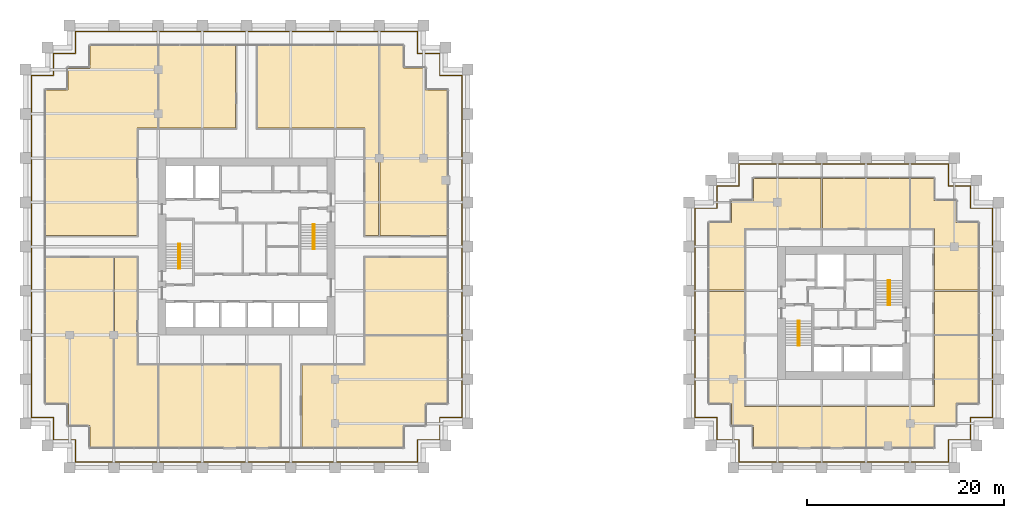
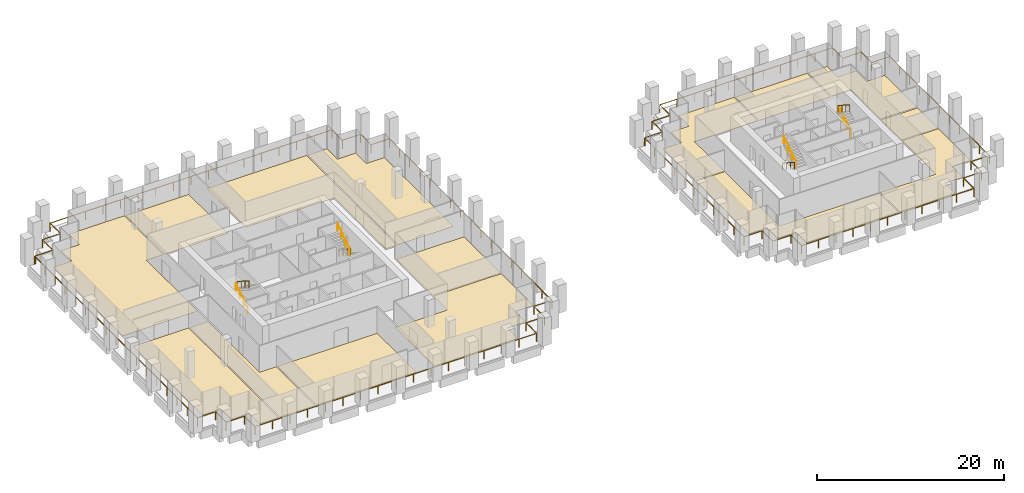
# One storey, part 54 of 54: 15 coverings, 10 railings.
"""IFC4 building model written with IfcOpenShell, lengths in metres."""

from ifc_helpers import new_model, si_unit, direction, frame, origin, origin_2d, place, context, subcontext, project, spatial, polyline, circle, outline, extrude, source, transform, mapped, material, layer, layer_set, type_object, element, save


model = new_model("IFC4")

# Units and contexts
model_context = context("Model", 3, precision=1e-05, world=origin(), true_north=direction((0.0, 1.0)))
body_context = subcontext(model_context, "Body", "Model", "MODEL_VIEW")
ifc_project = project(units=[si_unit("LENGTHUNIT", "METRE"), si_unit("AREAUNIT", "SQUARE_METRE"), si_unit("VOLUMEUNIT", "CUBIC_METRE"), si_unit("PLANEANGLEUNIT", "RADIAN"), si_unit("MASSUNIT", "GRAM", prefix="KILO")], contexts=[model_context])

# Site, building, storey
site_placement = place(None, origin())
site = spatial("IfcSite", under=ifc_project, at=site_placement, CompositionType="ELEMENT")
building_placement = place(site_placement, origin())
building = spatial("IfcBuilding", under=site, at=building_placement, Name="Altepetl Exchange Towers", CompositionType="ELEMENT")
storey_placement = place(building_placement, frame((0.0, 0.0, 65.39990234375)))
storey = spatial("IfcBuildingStorey", under=building, at=storey_placement, Name="L15", CompositionType="ELEMENT", Elevation=65.39990234375)

# Coverings
ifc_material_1 = material(Name="Carpet tile")
ifc_layer_1 = layer(ifc_material_1, 0.02001953125)
ifc_layer_set_1 = layer_set([ifc_layer_1], Name="Carpet tile")
covering_type_1 = type_object("IfcCoveringType", Name="Carpet tile floor", PredefinedType="FLOORING", material=ifc_layer_set_1)
covering_1_placement = place(storey_placement, origin())
element("IfcCovering", 1, at=covering_1_placement, inside=storey, type_object=covering_type_1, Name="Fund office floor finish A15.01", PredefinedType="FLOORING", context=body_context, shape_type="SweptSolid", body=[
    extrude(outline(polyline([(31.3125, 31.3125), (33.5625, 31.3125), (33.5625, 29.0625), (35.9375, 29.0625), (35.9375, 48.387451171875), (29.0625, 48.387451171875), (29.0625, 33.5625), (31.3125, 33.5625), (31.3125, 31.3125)])), origin(), (0.0, 0.0, 1.0), 0.02001953125),
])
covering_2_placement = place(storey_placement, origin())
element("IfcCovering", 2, at=covering_2_placement, inside=storey, type_object=covering_type_1, Name="Pantry floor finish A15.02", PredefinedType="FLOORING", context=body_context, shape_type="SweptSolid", body=[
    extrude(outline(polyline([(36.0625, 48.387451171875), (36.0625, 29.0625), (40.4375, 29.0625), (40.4375, 37.4375), (38.33740234375, 37.4375), (38.33740234375, 48.387451171875), (36.0625, 48.387451171875)])), origin(), (0.0, 0.0, 1.0), 0.02001953125),
])
covering_3_placement = place(storey_placement, origin())
element("IfcCovering", 3, at=covering_3_placement, inside=storey, type_object=covering_type_1, Name="Conference room floor finish A15.03", PredefinedType="FLOORING", context=body_context, shape_type="SweptSolid", body=[
    extrude(outline(polyline([(40.5625, 37.4375), (40.5625, 29.0625), (52.887451171875, 29.0625), (52.887451171875, 37.4375), (40.5625, 37.4375)])), origin(), (0.0, 0.0, 1.0), 0.02001953125),
])
covering_4_placement = place(storey_placement, origin())
element("IfcCovering", 4, at=covering_4_placement, inside=storey, type_object=covering_type_1, Name="Research office floor finish A15.04", PredefinedType="FLOORING", context=body_context, shape_type="SweptSolid", body=[
    extrude(outline(polyline([(67.6875, 31.3125), (67.6875, 33.5625), (69.9375, 33.5625), (69.9375, 40.4375), (61.5625, 40.4375), (61.5625, 37.4375), (55.112548828125, 37.4375), (55.112548828125, 29.0625), (65.4375, 29.0625), (65.4375, 31.3125), (67.6875, 31.3125)])), origin(), (0.0, 0.0, 1.0), 0.02001953125),
])
covering_5_placement = place(storey_placement, origin())
element("IfcCovering", 5, at=covering_5_placement, inside=storey, type_object=covering_type_1, Name="Pantry floor finish A15.05", PredefinedType="FLOORING", context=body_context, shape_type="SweptSolid", body=[
    extrude(outline(polyline([(61.5625, 40.5625), (69.9375, 40.5625), (69.9375, 48.387451171875), (61.5625, 48.387451171875), (61.5625, 40.5625)])), origin(), (0.0, 0.0, 1.0), 0.02001953125),
])
covering_6_placement = place(storey_placement, origin())
element("IfcCovering", 6, at=covering_6_placement, inside=storey, type_object=covering_type_1, Name="Research office floor finish A15.06", PredefinedType="FLOORING", context=body_context, shape_type="SweptSolid", body=[
    extrude(outline(polyline([(67.6875, 67.6875), (65.4375, 67.6875), (65.4375, 69.9375), (63.0625, 69.9375), (63.0625, 50.612548828125), (69.9375, 50.612548828125), (69.9375, 65.4375), (67.6875, 65.4375), (67.6875, 67.6875)])), origin(), (0.0, 0.0, 1.0), 0.02001953125),
])
covering_7_placement = place(storey_placement, origin())
element("IfcCovering", 7, at=covering_7_placement, inside=storey, type_object=covering_type_1, Name="Fund office floor finish A15.07", PredefinedType="FLOORING", context=body_context, shape_type="SweptSolid", body=[
    extrude(outline(polyline([(62.9375, 50.612548828125), (62.9375, 69.9375), (50.612548828125, 69.9375), (50.612548828125, 61.5625), (61.5625, 61.5625), (61.5625, 50.612548828125), (62.9375, 50.612548828125)])), origin(), (0.0, 0.0, 1.0), 0.02001953125),
])
covering_8_placement = place(storey_placement, origin())
element("IfcCovering", 8, at=covering_8_placement, inside=storey, type_object=covering_type_1, Name="Print room floor finish A15.08", PredefinedType="FLOORING", context=body_context, shape_type="SweptSolid", body=[
    extrude(outline(polyline([(48.387451171875, 69.9375), (40.5625, 69.9375), (40.5625, 61.5625), (48.387451171875, 61.5625), (48.387451171875, 69.9375)])), origin(), (0.0, 0.0, 1.0), 0.02001953125),
])
covering_9_placement = place(storey_placement, origin())
element("IfcCovering", 9, at=covering_9_placement, inside=storey, type_object=covering_type_1, Name="Fund office floor finish A15.09", PredefinedType="FLOORING", context=body_context, shape_type="SweptSolid", body=[
    extrude(outline(polyline([(40.4375, 61.5625), (40.4375, 69.9375), (33.5625, 69.9375), (33.5625, 67.6875), (31.3125, 67.6875), (31.3125, 65.4375), (29.0625, 65.4375), (29.0625, 50.612548828125), (38.33740234375, 50.612548828125), (38.33740234375, 61.5625), (40.4375, 61.5625)])), origin(), (0.0, 0.0, 1.0), 0.02001953125),
])
covering_10_placement = place(storey_placement, origin())
element("IfcCovering", 10, at=covering_10_placement, inside=storey, type_object=covering_type_1, Name="Print room floor finish B15.03", PredefinedType="FLOORING", context=body_context, shape_type="SweptSolid", body=[
    extrude(outline(polyline([(123.9375, 44.9375), (119.46240234375, 44.9375), (119.46240234375, 40.5625), (123.9375, 40.5625), (123.9375, 44.9375)])), origin(), (0.0, 0.0, 1.0), 0.02001953125),
])
covering_11_placement = place(storey_placement, origin())
element("IfcCovering", 11, at=covering_11_placement, inside=storey, type_object=covering_type_1, Name="Huddle room floor finish B15.05", PredefinedType="FLOORING", context=body_context, shape_type="SweptSolid", body=[
    extrude(outline(polyline([(108.0625, 56.4375), (108.0625, 51.362548828125), (116.9375, 51.362548828125), (116.9375, 56.4375), (108.0625, 56.4375)])), origin(), (0.0, 0.0, 1.0), 0.02001953125),
])
ifc_material_2 = material(Name="Calcium sulphate access floor panel")
ifc_layer_2 = layer(ifc_material_2, 0.0400390625)
ifc_layer_set_2 = layer_set([ifc_layer_2], Name="Calcium sulphate access floor panel")
covering_type_2 = type_object("IfcCoveringType", Name="Raised access floor panels", PredefinedType="FLOORING", material=ifc_layer_set_2)
covering_12_placement = place(storey_placement, origin())
element("IfcCovering", 12, at=covering_12_placement, inside=storey, type_object=covering_type_2, Name="Treasury office floor finish B15.01", PredefinedType="FLOORING", context=body_context, shape_type="SweptSolid", body=[
    extrude(outline(polyline([(112.4375, 29.0625), (112.4375, 33.237548828125), (100.137451171875, 33.237548828125), (100.137451171875, 44.9375), (96.5625, 44.9375), (96.5625, 33.5625), (98.8125, 33.5625), (98.8125, 31.3125), (101.0625, 31.3125), (101.0625, 29.0625), (112.4375, 29.0625)])), origin(), (0.0, 0.0, 1.0), 0.0400390625),
])
covering_13_placement = place(storey_placement, origin())
element("IfcCovering", 13, at=covering_13_placement, inside=storey, type_object=covering_type_2, Name="Bank office floor finish B15.02", PredefinedType="FLOORING", context=body_context, shape_type="SweptSolid", body=[
    extrude(outline(polyline([(123.9375, 40.4375), (119.46240234375, 40.4375), (119.46240234375, 33.237548828125), (112.5625, 33.237548828125), (112.5625, 29.0625), (119.4375, 29.0625), (119.4375, 31.3125), (121.6875, 31.3125), (121.6875, 33.5625), (123.9375, 33.5625), (123.9375, 40.4375)])), origin(), (0.0, 0.0, 1.0), 0.0400390625),
])
covering_14_placement = place(storey_placement, origin())
element("IfcCovering", 14, at=covering_14_placement, inside=storey, type_object=covering_type_2, Name="Treasury office floor finish B15.04", PredefinedType="FLOORING", context=body_context, shape_type="SweptSolid", body=[
    extrude(outline(polyline([(117.0625, 56.4375), (117.0625, 51.362548828125), (119.46240234375, 51.362548828125), (119.46240234375, 45.0625), (123.9375, 45.0625), (123.9375, 51.9375), (121.6875, 51.9375), (121.6875, 54.1875), (119.4375, 54.1875), (119.4375, 56.4375), (117.0625, 56.4375)])), origin(), (0.0, 0.0, 1.0), 0.0400390625),
])
covering_15_placement = place(storey_placement, origin())
element("IfcCovering", 15, at=covering_15_placement, inside=storey, type_object=covering_type_2, Name="Bank office floor finish B15.06", PredefinedType="FLOORING", context=body_context, shape_type="SweptSolid", body=[
    extrude(outline(polyline([(101.0625, 54.1875), (98.8125, 54.1875), (98.8125, 51.9375), (96.5625, 51.9375), (96.5625, 45.0625), (100.137451171875, 45.0625), (100.137451171875, 51.362548828125), (107.9375, 51.362548828125), (107.9375, 56.4375), (101.0625, 56.4375), (101.0625, 54.1875)])), origin(), (0.0, 0.0, 1.0), 0.0400390625),
])

# Railings
ifc_material_3 = material(Name="Steel S355", Category="steel")
railing_type_1 = type_object("IfcRailingType", Name="Guard 1100 steel posts and rail", PredefinedType="GUARDRAIL", material=ifc_material_3)
shared_shape_1 = source(origin(), body_context, "Body", "SweptSolid", [
    extrude(circle(Radius=0.02099609375, at=origin_2d()), origin(), (0.0, 0.0, 1.0), 1.052001953125),
])
railing_1_placement = place(storey_placement, frame((27.60009765625, 66.89990234375, 0.0)))
element("IfcRailing", 16, at=railing_1_placement, inside=storey, type_object=railing_type_1, Name="Loggia guard", PredefinedType="GUARDRAIL", context=body_context, shape_type="SweptSolid", body=[
    extrude(circle(Radius=0.02392578125, at=origin_2d()), frame((0.0, 0.0, 1.076171875), z_axis=(0.0, -1.0, 0.0), x_axis=(1.0, 0.0, 0.0)), (0.0, 0.0, 1.0), 34.7998046875),
    extrude(circle(Radius=0.02392578125, at=origin_2d()), frame((0.0, -34.7998046875, 1.076171875), z_axis=(1.0, 0.0, 0.0), x_axis=(0.0, 1.0, 0.0)), (0.0, 0.0, 1.0), 2.25),
    extrude(circle(Radius=0.02392578125, at=origin_2d()), frame((2.25, -34.7998046875, 1.076171875), z_axis=(0.0, -1.0, 0.0), x_axis=(1.0, 0.0, 0.0)), (0.0, 0.0, 1.0), 2.25),
    extrude(circle(Radius=0.02392578125, at=origin_2d()), frame((2.25, -37.0498046875, 1.076171875), z_axis=(1.0, 0.0, 0.0), x_axis=(0.0, 1.0, 0.0)), (0.0, 0.0, 1.0), 2.25),
    extrude(circle(Radius=0.02392578125, at=origin_2d()), frame((4.5, -37.0498046875, 1.076171875), z_axis=(0.0, -1.0, 0.0), x_axis=(1.0, 0.0, 0.0)), (0.0, 0.0, 1.0), 2.25),
    extrude(circle(Radius=0.02392578125, at=origin_2d()), frame((4.5, -39.2998046875, 1.076171875), z_axis=(1.0, 0.0, 0.0), x_axis=(0.0, 1.0, 0.0)), (0.0, 0.0, 1.0), 34.7998046875),
    extrude(circle(Radius=0.02392578125, at=origin_2d()), frame((39.2998046875, -39.2998046875, 1.076171875), z_axis=(0.0, 1.0, 0.0), x_axis=(-1.0, 0.0, 0.0)), (0.0, 0.0, 1.0), 2.25),
    extrude(circle(Radius=0.02392578125, at=origin_2d()), frame((39.2998046875, -37.0498046875, 1.076171875), z_axis=(1.0, 0.0, 0.0), x_axis=(0.0, 1.0, 0.0)), (0.0, 0.0, 1.0), 2.25),
    extrude(circle(Radius=0.02392578125, at=origin_2d()), frame((41.5498046875, -37.0498046875, 1.076171875), z_axis=(0.0, 1.0, 0.0), x_axis=(-1.0, 0.0, 0.0)), (0.0, 0.0, 1.0), 2.25),
    extrude(circle(Radius=0.02392578125, at=origin_2d()), frame((41.5498046875, -34.7998046875, 1.076171875), z_axis=(1.0, 0.0, 0.0), x_axis=(0.0, 1.0, 0.0)), (0.0, 0.0, 1.0), 2.25),
    extrude(circle(Radius=0.02392578125, at=origin_2d()), frame((43.7998046875, -34.7998046875, 1.076171875), z_axis=(0.0, 1.0, 0.0), x_axis=(-1.0, 0.0, 0.0)), (0.0, 0.0, 1.0), 34.7998046875),
    extrude(circle(Radius=0.02392578125, at=origin_2d()), frame((43.7998046875, 0.0, 1.076171875), z_axis=(-1.0, 0.0, 0.0), x_axis=(0.0, -1.0, 0.0)), (0.0, 0.0, 1.0), 2.25),
    extrude(circle(Radius=0.02392578125, at=origin_2d()), frame((41.5498046875, 0.0, 1.076171875), z_axis=(0.0, 1.0, 0.0), x_axis=(-1.0, 0.0, 0.0)), (0.0, 0.0, 1.0), 2.25),
    extrude(circle(Radius=0.02392578125, at=origin_2d()), frame((41.5498046875, 2.25, 1.076171875), z_axis=(-1.0, 0.0, 0.0), x_axis=(0.0, -1.0, 0.0)), (0.0, 0.0, 1.0), 2.25),
    extrude(circle(Radius=0.02392578125, at=origin_2d()), frame((39.2998046875, 2.25, 1.076171875), z_axis=(0.0, 1.0, 0.0), x_axis=(-1.0, 0.0, 0.0)), (0.0, 0.0, 1.0), 2.25),
    extrude(circle(Radius=0.02392578125, at=origin_2d()), frame((39.2998046875, 4.5, 1.076171875), z_axis=(-1.0, 0.0, 0.0), x_axis=(0.0, -1.0, 0.0)), (0.0, 0.0, 1.0), 34.7998046875),
    extrude(circle(Radius=0.02392578125, at=origin_2d()), frame((4.5, 4.5, 1.076171875), z_axis=(0.0, -1.0, 0.0), x_axis=(1.0, 0.0, 0.0)), (0.0, 0.0, 1.0), 2.25),
    extrude(circle(Radius=0.02392578125, at=origin_2d()), frame((4.5, 2.25, 1.076171875), z_axis=(-1.0, 0.0, 0.0), x_axis=(0.0, -1.0, 0.0)), (0.0, 0.0, 1.0), 2.25),
    extrude(circle(Radius=0.02392578125, at=origin_2d()), frame((2.25, 2.25, 1.076171875), z_axis=(0.0, -1.0, 0.0), x_axis=(1.0, 0.0, 0.0)), (0.0, 0.0, 1.0), 2.25),
    extrude(circle(Radius=0.02392578125, at=origin_2d()), frame((2.25, 0.0, 1.076171875), z_axis=(-1.0, 0.0, 0.0), x_axis=(0.0, -1.0, 0.0)), (0.0, 0.0, 1.0), 2.150146484375),
    mapped(shared_shape_1, transform((0.0, 0.0, 0.0))),
    mapped(shared_shape_1, transform((0.0, -2.175048828125, 0.0))),
    mapped(shared_shape_1, transform((0.0, -4.35009765625, 0.0))),
    mapped(shared_shape_1, transform((0.0, -6.52490234375, 0.0))),
    mapped(shared_shape_1, transform((0.0, -8.699951171875, 0.0))),
    mapped(shared_shape_1, transform((0.0, -10.875, 0.0))),
    mapped(shared_shape_1, transform((0.0, -13.0498046875, 0.0))),
    mapped(shared_shape_1, transform((0.0, -15.224853515625, 0.0))),
    mapped(shared_shape_1, transform((0.0, -17.39990234375, 0.0))),
    mapped(shared_shape_1, transform((0.0, -19.574951171875, 0.0))),
    mapped(shared_shape_1, transform((0.0, -21.75, 0.0))),
    mapped(shared_shape_1, transform((0.0, -23.9248046875, 0.0))),
    mapped(shared_shape_1, transform((0.0, -26.099853515625, 0.0))),
    mapped(shared_shape_1, transform((0.0, -28.27490234375, 0.0))),
    mapped(shared_shape_1, transform((0.0, -30.44970703125, 0.0))),
    mapped(shared_shape_1, transform((0.0, -32.624755859375, 0.0))),
    mapped(shared_shape_1, transform((0.0, -34.7998046875, 0.0))),
    mapped(shared_shape_1, transform((2.25, -34.7998046875, 0.0))),
    mapped(shared_shape_1, transform((2.25, -37.0498046875, 0.0))),
    mapped(shared_shape_1, transform((4.5, -37.0498046875, 0.0))),
    mapped(shared_shape_1, transform((4.5, -39.2998046875, 0.0))),
    mapped(shared_shape_1, transform((6.675048828125, -39.2998046875, 0.0))),
    mapped(shared_shape_1, transform((8.85009765625, -39.2998046875, 0.0))),
    mapped(shared_shape_1, transform((11.02490234375, -39.2998046875, 0.0))),
    mapped(shared_shape_1, transform((13.199951171875, -39.2998046875, 0.0))),
    mapped(shared_shape_1, transform((15.375, -39.2998046875, 0.0))),
    mapped(shared_shape_1, transform((17.5498046875, -39.2998046875, 0.0))),
    mapped(shared_shape_1, transform((19.724853515625, -39.2998046875, 0.0))),
    mapped(shared_shape_1, transform((21.89990234375, -39.2998046875, 0.0))),
    mapped(shared_shape_1, transform((24.074951171875, -39.2998046875, 0.0))),
    mapped(shared_shape_1, transform((26.25, -39.2998046875, 0.0))),
    mapped(shared_shape_1, transform((28.4248046875, -39.2998046875, 0.0))),
    mapped(shared_shape_1, transform((30.599853515625, -39.2998046875, 0.0))),
    mapped(shared_shape_1, transform((32.77490234375, -39.2998046875, 0.0))),
    mapped(shared_shape_1, transform((34.94970703125, -39.2998046875, 0.0))),
    mapped(shared_shape_1, transform((37.124755859375, -39.2998046875, 0.0))),
    mapped(shared_shape_1, transform((39.2998046875, -39.2998046875, 0.0))),
    mapped(shared_shape_1, transform((39.2998046875, -37.0498046875, 0.0))),
    mapped(shared_shape_1, transform((41.5498046875, -37.0498046875, 0.0))),
    mapped(shared_shape_1, transform((41.5498046875, -34.7998046875, 0.0))),
    mapped(shared_shape_1, transform((43.7998046875, -34.7998046875, 0.0))),
    mapped(shared_shape_1, transform((43.7998046875, -32.624755859375, 0.0))),
    mapped(shared_shape_1, transform((43.7998046875, -30.44970703125, 0.0))),
    mapped(shared_shape_1, transform((43.7998046875, -28.27490234375, 0.0))),
    mapped(shared_shape_1, transform((43.7998046875, -26.099853515625, 0.0))),
    mapped(shared_shape_1, transform((43.7998046875, -23.9248046875, 0.0))),
    mapped(shared_shape_1, transform((43.7998046875, -21.75, 0.0))),
    mapped(shared_shape_1, transform((43.7998046875, -19.574951171875, 0.0))),
    mapped(shared_shape_1, transform((43.7998046875, -17.39990234375, 0.0))),
    mapped(shared_shape_1, transform((43.7998046875, -15.224853515625, 0.0))),
    mapped(shared_shape_1, transform((43.7998046875, -13.0498046875, 0.0))),
    mapped(shared_shape_1, transform((43.7998046875, -10.875, 0.0))),
    mapped(shared_shape_1, transform((43.7998046875, -8.699951171875, 0.0))),
    mapped(shared_shape_1, transform((43.7998046875, -6.52490234375, 0.0))),
    mapped(shared_shape_1, transform((43.7998046875, -4.35009765625, 0.0))),
    mapped(shared_shape_1, transform((43.7998046875, -2.175048828125, 0.0))),
    mapped(shared_shape_1, transform((43.7998046875, 0.0, 0.0))),
    mapped(shared_shape_1, transform((41.5498046875, 0.0, 0.0))),
    mapped(shared_shape_1, transform((41.5498046875, 2.25, 0.0))),
    mapped(shared_shape_1, transform((39.2998046875, 2.25, 0.0))),
    mapped(shared_shape_1, transform((39.2998046875, 4.5, 0.0))),
    mapped(shared_shape_1, transform((37.124755859375, 4.5, 0.0))),
    mapped(shared_shape_1, transform((34.94970703125, 4.5, 0.0))),
    mapped(shared_shape_1, transform((32.77490234375, 4.5, 0.0))),
    mapped(shared_shape_1, transform((30.599853515625, 4.5, 0.0))),
    mapped(shared_shape_1, transform((28.4248046875, 4.5, 0.0))),
    mapped(shared_shape_1, transform((26.25, 4.5, 0.0))),
    mapped(shared_shape_1, transform((24.074951171875, 4.5, 0.0))),
    mapped(shared_shape_1, transform((21.89990234375, 4.5, 0.0))),
    mapped(shared_shape_1, transform((19.724853515625, 4.5, 0.0))),
    mapped(shared_shape_1, transform((17.5498046875, 4.5, 0.0))),
    mapped(shared_shape_1, transform((15.375, 4.5, 0.0))),
    mapped(shared_shape_1, transform((13.199951171875, 4.5, 0.0))),
    mapped(shared_shape_1, transform((11.02490234375, 4.5, 0.0))),
    mapped(shared_shape_1, transform((8.85009765625, 4.5, 0.0))),
    mapped(shared_shape_1, transform((6.675048828125, 4.5, 0.0))),
    mapped(shared_shape_1, transform((4.5, 4.5, 0.0))),
    mapped(shared_shape_1, transform((4.5, 2.25, 0.0))),
    mapped(shared_shape_1, transform((2.25, 2.25, 0.0))),
    mapped(shared_shape_1, transform((2.25, 0.0, 0.0))),
    mapped(shared_shape_1, transform((0.099853515625, 0.0, 0.0))),
])
railing_2_placement = place(storey_placement, frame((95.10009765625, 53.39990234375, 0.0)))
element("IfcRailing", 17, at=railing_2_placement, inside=storey, type_object=railing_type_1, Name="Loggia guard", PredefinedType="GUARDRAIL", context=body_context, shape_type="SweptSolid", body=[
    extrude(circle(Radius=0.02392578125, at=origin_2d()), frame((0.0, 0.0, 1.076171875), z_axis=(0.0, -1.0, 0.0), x_axis=(1.0, 0.0, 0.0)), (0.0, 0.0, 1.0), 21.2998046875),
    extrude(circle(Radius=0.02392578125, at=origin_2d()), frame((0.0, -21.2998046875, 1.076171875), z_axis=(1.0, 0.0, 0.0), x_axis=(0.0, 1.0, 0.0)), (0.0, 0.0, 1.0), 2.25),
    extrude(circle(Radius=0.02392578125, at=origin_2d()), frame((2.25, -21.2998046875, 1.076171875), z_axis=(0.0, -1.0, 0.0), x_axis=(1.0, 0.0, 0.0)), (0.0, 0.0, 1.0), 2.25),
    extrude(circle(Radius=0.02392578125, at=origin_2d()), frame((2.25, -23.5498046875, 1.076171875), z_axis=(1.0, 0.0, 0.0), x_axis=(0.0, 1.0, 0.0)), (0.0, 0.0, 1.0), 2.25),
    extrude(circle(Radius=0.02392578125, at=origin_2d()), frame((4.5, -23.5498046875, 1.076171875), z_axis=(0.0, -1.0, 0.0), x_axis=(1.0, 0.0, 0.0)), (0.0, 0.0, 1.0), 2.25),
    extrude(circle(Radius=0.02392578125, at=origin_2d()), frame((4.5, -25.7998046875, 1.076171875), z_axis=(1.0, 0.0, 0.0), x_axis=(0.0, 1.0, 0.0)), (0.0, 0.0, 1.0), 21.2998046875),
    extrude(circle(Radius=0.02392578125, at=origin_2d()), frame((25.7998046875, -25.7998046875, 1.076171875), z_axis=(0.0, 1.0, 0.0), x_axis=(-1.0, 0.0, 0.0)), (0.0, 0.0, 1.0), 2.25),
    extrude(circle(Radius=0.02392578125, at=origin_2d()), frame((25.7998046875, -23.5498046875, 1.076171875), z_axis=(1.0, 0.0, 0.0), x_axis=(0.0, 1.0, 0.0)), (0.0, 0.0, 1.0), 2.25),
    extrude(circle(Radius=0.02392578125, at=origin_2d()), frame((28.0498046875, -23.5498046875, 1.076171875), z_axis=(0.0, 1.0, 0.0), x_axis=(-1.0, 0.0, 0.0)), (0.0, 0.0, 1.0), 2.25),
    extrude(circle(Radius=0.02392578125, at=origin_2d()), frame((28.0498046875, -21.2998046875, 1.076171875), z_axis=(1.0, 0.0, 0.0), x_axis=(0.0, 1.0, 0.0)), (0.0, 0.0, 1.0), 2.25),
    extrude(circle(Radius=0.02392578125, at=origin_2d()), frame((30.2998046875, -21.2998046875, 1.076171875), z_axis=(0.0, 1.0, 0.0), x_axis=(-1.0, 0.0, 0.0)), (0.0, 0.0, 1.0), 21.2998046875),
    extrude(circle(Radius=0.02392578125, at=origin_2d()), frame((30.2998046875, 0.0, 1.076171875), z_axis=(-1.0, 0.0, 0.0), x_axis=(0.0, -1.0, 0.0)), (0.0, 0.0, 1.0), 2.25),
    extrude(circle(Radius=0.02392578125, at=origin_2d()), frame((28.0498046875, 0.0, 1.076171875), z_axis=(0.0, 1.0, 0.0), x_axis=(-1.0, 0.0, 0.0)), (0.0, 0.0, 1.0), 2.25),
    extrude(circle(Radius=0.02392578125, at=origin_2d()), frame((28.0498046875, 2.25, 1.076171875), z_axis=(-1.0, 0.0, 0.0), x_axis=(0.0, -1.0, 0.0)), (0.0, 0.0, 1.0), 2.25),
    extrude(circle(Radius=0.02392578125, at=origin_2d()), frame((25.7998046875, 2.25, 1.076171875), z_axis=(0.0, 1.0, 0.0), x_axis=(-1.0, 0.0, 0.0)), (0.0, 0.0, 1.0), 2.25),
    extrude(circle(Radius=0.02392578125, at=origin_2d()), frame((25.7998046875, 4.5, 1.076171875), z_axis=(-1.0, 0.0, 0.0), x_axis=(0.0, -1.0, 0.0)), (0.0, 0.0, 1.0), 21.2998046875),
    extrude(circle(Radius=0.02392578125, at=origin_2d()), frame((4.5, 4.5, 1.076171875), z_axis=(0.0, -1.0, 0.0), x_axis=(1.0, 0.0, 0.0)), (0.0, 0.0, 1.0), 2.25),
    extrude(circle(Radius=0.02392578125, at=origin_2d()), frame((4.5, 2.25, 1.076171875), z_axis=(-1.0, 0.0, 0.0), x_axis=(0.0, -1.0, 0.0)), (0.0, 0.0, 1.0), 2.25),
    extrude(circle(Radius=0.02392578125, at=origin_2d()), frame((2.25, 2.25, 1.076171875), z_axis=(0.0, -1.0, 0.0), x_axis=(1.0, 0.0, 0.0)), (0.0, 0.0, 1.0), 2.25),
    extrude(circle(Radius=0.02392578125, at=origin_2d()), frame((2.25, 0.0, 1.076171875), z_axis=(-1.0, 0.0, 0.0), x_axis=(0.0, -1.0, 0.0)), (0.0, 0.0, 1.0), 2.150146484375),
    mapped(shared_shape_1, transform((0.0, 0.0, 0.0))),
    mapped(shared_shape_1, transform((0.0, -2.1298828125, 0.0))),
    mapped(shared_shape_1, transform((0.0, -4.260009765625, 0.0))),
    mapped(shared_shape_1, transform((0.0, -6.389892578125, 0.0))),
    mapped(shared_shape_1, transform((0.0, -8.52001953125, 0.0))),
    mapped(shared_shape_1, transform((0.0, -10.64990234375, 0.0))),
    mapped(shared_shape_1, transform((0.0, -12.77978515625, 0.0))),
    mapped(shared_shape_1, transform((0.0, -14.909912109375, 0.0))),
    mapped(shared_shape_1, transform((0.0, -17.039794921875, 0.0))),
    mapped(shared_shape_1, transform((0.0, -19.169921875, 0.0))),
    mapped(shared_shape_1, transform((0.0, -21.2998046875, 0.0))),
    mapped(shared_shape_1, transform((2.25, -21.2998046875, 0.0))),
    mapped(shared_shape_1, transform((2.25, -23.5498046875, 0.0))),
    mapped(shared_shape_1, transform((4.5, -23.5498046875, 0.0))),
    mapped(shared_shape_1, transform((4.5, -25.7998046875, 0.0))),
    mapped(shared_shape_1, transform((6.6298828125, -25.7998046875, 0.0))),
    mapped(shared_shape_1, transform((8.760009765625, -25.7998046875, 0.0))),
    mapped(shared_shape_1, transform((10.889892578125, -25.7998046875, 0.0))),
    mapped(shared_shape_1, transform((13.02001953125, -25.7998046875, 0.0))),
    mapped(shared_shape_1, transform((15.14990234375, -25.7998046875, 0.0))),
    mapped(shared_shape_1, transform((17.27978515625, -25.7998046875, 0.0))),
    mapped(shared_shape_1, transform((19.409912109375, -25.7998046875, 0.0))),
    mapped(shared_shape_1, transform((21.539794921875, -25.7998046875, 0.0))),
    mapped(shared_shape_1, transform((23.669921875, -25.7998046875, 0.0))),
    mapped(shared_shape_1, transform((25.7998046875, -25.7998046875, 0.0))),
    mapped(shared_shape_1, transform((25.7998046875, -23.5498046875, 0.0))),
    mapped(shared_shape_1, transform((28.0498046875, -23.5498046875, 0.0))),
    mapped(shared_shape_1, transform((28.0498046875, -21.2998046875, 0.0))),
    mapped(shared_shape_1, transform((30.2998046875, -21.2998046875, 0.0))),
    mapped(shared_shape_1, transform((30.2998046875, -19.169921875, 0.0))),
    mapped(shared_shape_1, transform((30.2998046875, -17.039794921875, 0.0))),
    mapped(shared_shape_1, transform((30.2998046875, -14.909912109375, 0.0))),
    mapped(shared_shape_1, transform((30.2998046875, -12.77978515625, 0.0))),
    mapped(shared_shape_1, transform((30.2998046875, -10.64990234375, 0.0))),
    mapped(shared_shape_1, transform((30.2998046875, -8.52001953125, 0.0))),
    mapped(shared_shape_1, transform((30.2998046875, -6.389892578125, 0.0))),
    mapped(shared_shape_1, transform((30.2998046875, -4.260009765625, 0.0))),
    mapped(shared_shape_1, transform((30.2998046875, -2.1298828125, 0.0))),
    mapped(shared_shape_1, transform((30.2998046875, 0.0, 0.0))),
    mapped(shared_shape_1, transform((28.0498046875, 0.0, 0.0))),
    mapped(shared_shape_1, transform((28.0498046875, 2.25, 0.0))),
    mapped(shared_shape_1, transform((25.7998046875, 2.25, 0.0))),
    mapped(shared_shape_1, transform((25.7998046875, 4.5, 0.0))),
    mapped(shared_shape_1, transform((23.669921875, 4.5, 0.0))),
    mapped(shared_shape_1, transform((21.539794921875, 4.5, 0.0))),
    mapped(shared_shape_1, transform((19.409912109375, 4.5, 0.0))),
    mapped(shared_shape_1, transform((17.27978515625, 4.5, 0.0))),
    mapped(shared_shape_1, transform((15.14990234375, 4.5, 0.0))),
    mapped(shared_shape_1, transform((13.02001953125, 4.5, 0.0))),
    mapped(shared_shape_1, transform((10.889892578125, 4.5, 0.0))),
    mapped(shared_shape_1, transform((8.760009765625, 4.5, 0.0))),
    mapped(shared_shape_1, transform((6.6298828125, 4.5, 0.0))),
    mapped(shared_shape_1, transform((4.5, 4.5, 0.0))),
    mapped(shared_shape_1, transform((4.5, 2.25, 0.0))),
    mapped(shared_shape_1, transform((2.25, 2.25, 0.0))),
    mapped(shared_shape_1, transform((2.25, 0.0, 0.0))),
    mapped(shared_shape_1, transform((0.099853515625, 0.0, 0.0))),
])
ifc_material_4 = material(Name="Steel", Category="steel")
railing_type_2 = type_object("IfcRailingType", Name="Stair handrail 50 steel tube", PredefinedType="HANDRAIL", material=ifc_material_4)
shared_shape_2 = source(origin(), body_context, "Body", "SweptSolid", [
    extrude(circle(Radius=0.02099609375, at=origin_2d()), origin(), (0.0, 0.0, 1.0), 0.851806640625),
])
railing_3_placement = place(storey_placement, frame((42.570068359375, 47.25, 0.18017578125)))
element("IfcRailing", 18, at=railing_3_placement, inside=storey, type_object=railing_type_2, Name="Stair handrail", PredefinedType="HANDRAIL", context=body_context, shape_type="SweptSolid", body=[
    extrude(circle(Radius=0.02392578125, at=origin_2d()), frame((0.0, 0.0, 0.8759765625), z_axis=(0.0, 0.841199657755, 0.540724639528), x_axis=(-1.0, 0.0, 0.0)), (0.0, 0.0, 1.0), 2.995849609375),
    mapped(shared_shape_2, transform((0.0, 0.0, 0.0))),
    mapped(shared_shape_2, transform((0.0, 0.840087890625, 0.5400390625))),
    mapped(shared_shape_2, transform((0.0, 1.679931640625, 1.079833984375))),
    mapped(shared_shape_2, transform((0.0, 2.52001953125, 1.619873046875))),
])
railing_4_placement = place(storey_placement, frame((42.72998046875, 49.77001953125, 1.97998046875)))
element("IfcRailing", 19, at=railing_4_placement, inside=storey, type_object=railing_type_2, Name="Stair handrail", PredefinedType="HANDRAIL", context=body_context, shape_type="SweptSolid", body=[
    extrude(circle(Radius=0.02392578125, at=origin_2d()), frame((0.0, 0.0, 0.8759765625), z_axis=(0.0, -0.841162588446, 0.540782303519), x_axis=(1.0, 0.0, 0.0)), (0.0, 0.0, 1.0), 2.995849609375),
    mapped(shared_shape_2, transform((0.0, 0.0, 0.0))),
    mapped(shared_shape_2, transform((0.0, -0.840087890625, 0.5400390625))),
    mapped(shared_shape_2, transform((0.0, -1.679931640625, 1.080078125))),
    mapped(shared_shape_2, transform((0.0, -2.52001953125, 1.6201171875))),
])
railing_5_placement = place(storey_placement, frame((56.429931640625, 51.75, 0.18017578125)))
element("IfcRailing", 20, at=railing_5_placement, inside=storey, type_object=railing_type_2, Name="Stair handrail", PredefinedType="HANDRAIL", context=body_context, shape_type="SweptSolid", body=[
    extrude(circle(Radius=0.02392578125, at=origin_2d()), frame((0.0, 0.0, 0.8759765625), z_axis=(0.0, -0.841199657755, 0.540724639528), x_axis=(1.0, 0.0, 0.0)), (0.0, 0.0, 1.0), 2.995849609375),
    mapped(shared_shape_2, transform((0.0, 0.0, 0.0))),
    mapped(shared_shape_2, transform((0.0, -0.840087890625, 0.5400390625))),
    mapped(shared_shape_2, transform((0.0, -1.679931640625, 1.079833984375))),
    mapped(shared_shape_2, transform((0.0, -2.52001953125, 1.619873046875))),
])
railing_6_placement = place(storey_placement, frame((56.27001953125, 49.22998046875, 1.97998046875)))
element("IfcRailing", 21, at=railing_6_placement, inside=storey, type_object=railing_type_2, Name="Stair handrail", PredefinedType="HANDRAIL", context=body_context, shape_type="SweptSolid", body=[
    extrude(circle(Radius=0.02392578125, at=origin_2d()), frame((0.0, 0.0, 0.8759765625), z_axis=(0.0, 0.841162588446, 0.540782303519), x_axis=(-1.0, 0.0, 0.0)), (0.0, 0.0, 1.0), 2.995849609375),
    mapped(shared_shape_2, transform((0.0, 0.0, 0.0))),
    mapped(shared_shape_2, transform((0.0, 0.840087890625, 0.5400390625))),
    mapped(shared_shape_2, transform((0.0, 1.679931640625, 1.080078125))),
    mapped(shared_shape_2, transform((0.0, 2.52001953125, 1.6201171875))),
])
railing_7_placement = place(storey_placement, frame((105.570068359375, 41.949951171875, 0.18017578125)))
element("IfcRailing", 22, at=railing_7_placement, inside=storey, type_object=railing_type_2, Name="Stair handrail", PredefinedType="HANDRAIL", context=body_context, shape_type="SweptSolid", body=[
    extrude(circle(Radius=0.02392578125, at=origin_2d()), frame((0.0, 0.0, 0.8759765625), z_axis=(0.0, -0.841199657755, 0.540724639528), x_axis=(1.0, 0.0, 0.0)), (0.0, 0.0, 1.0), 2.995849609375),
    mapped(shared_shape_2, transform((0.0, 0.0, 0.0))),
    mapped(shared_shape_2, transform((0.0, -0.840087890625, 0.5400390625))),
    mapped(shared_shape_2, transform((0.0, -1.679931640625, 1.079833984375))),
    mapped(shared_shape_2, transform((0.0, -2.52001953125, 1.619873046875))),
])
railing_8_placement = place(storey_placement, frame((105.72998046875, 39.429931640625, 1.97998046875)))
element("IfcRailing", 23, at=railing_8_placement, inside=storey, type_object=railing_type_2, Name="Stair handrail", PredefinedType="HANDRAIL", context=body_context, shape_type="SweptSolid", body=[
    extrude(circle(Radius=0.02392578125, at=origin_2d()), frame((0.0, 0.0, 0.8759765625), z_axis=(0.0, 0.841162588446, 0.540782303519), x_axis=(-1.0, 0.0, 0.0)), (0.0, 0.0, 1.0), 2.995849609375),
    mapped(shared_shape_2, transform((0.0, 0.0, 0.0))),
    mapped(shared_shape_2, transform((0.0, 0.840087890625, 0.5400390625))),
    mapped(shared_shape_2, transform((0.0, 1.679931640625, 1.080078125))),
    mapped(shared_shape_2, transform((0.0, 2.52001953125, 1.6201171875))),
])
railing_9_placement = place(storey_placement, frame((114.929931640625, 43.550048828125, 0.18017578125)))
element("IfcRailing", 24, at=railing_9_placement, inside=storey, type_object=railing_type_2, Name="Stair handrail", PredefinedType="HANDRAIL", context=body_context, shape_type="SweptSolid", body=[
    extrude(circle(Radius=0.02392578125, at=origin_2d()), frame((0.0, 0.0, 0.8759765625), z_axis=(0.0, 0.841199657755, 0.540724639528), x_axis=(-1.0, 0.0, 0.0)), (0.0, 0.0, 1.0), 2.995849609375),
    mapped(shared_shape_2, transform((0.0, 0.0, 0.0))),
    mapped(shared_shape_2, transform((0.0, 0.840087890625, 0.5400390625))),
    mapped(shared_shape_2, transform((0.0, 1.679931640625, 1.079833984375))),
    mapped(shared_shape_2, transform((0.0, 2.52001953125, 1.619873046875))),
])
railing_10_placement = place(storey_placement, frame((114.77001953125, 46.070068359375, 1.97998046875)))
element("IfcRailing", 25, at=railing_10_placement, inside=storey, type_object=railing_type_2, Name="Stair handrail", PredefinedType="HANDRAIL", context=body_context, shape_type="SweptSolid", body=[
    extrude(circle(Radius=0.02392578125, at=origin_2d()), frame((0.0, 0.0, 0.8759765625), z_axis=(0.0, -0.841162588446, 0.540782303519), x_axis=(1.0, 0.0, 0.0)), (0.0, 0.0, 1.0), 2.995849609375),
    mapped(shared_shape_2, transform((0.0, 0.0, 0.0))),
    mapped(shared_shape_2, transform((0.0, -0.840087890625, 0.5400390625))),
    mapped(shared_shape_2, transform((0.0, -1.679931640625, 1.080078125))),
    mapped(shared_shape_2, transform((0.0, -2.52001953125, 1.6201171875))),
])

save(model, "model.ifc")
